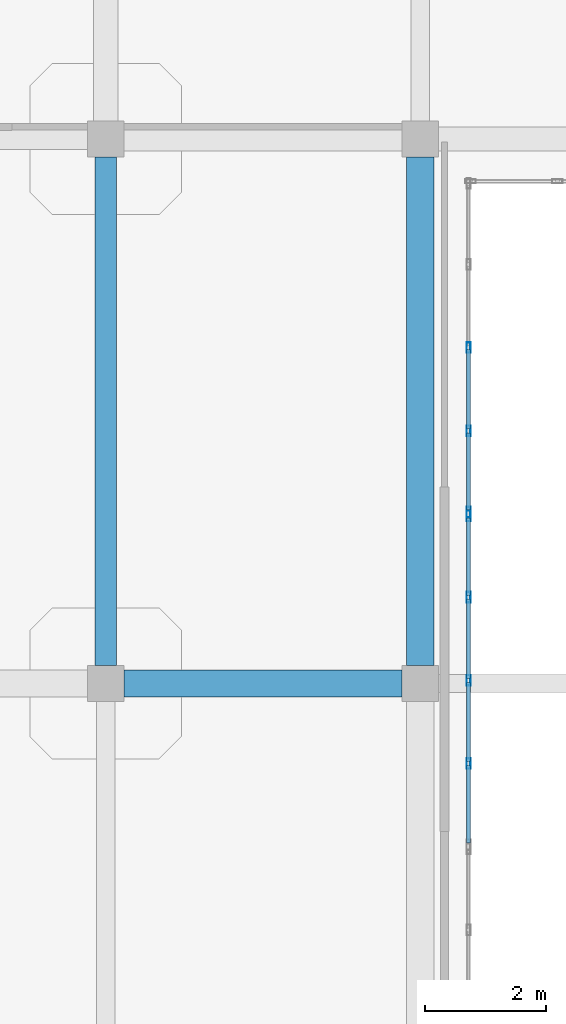
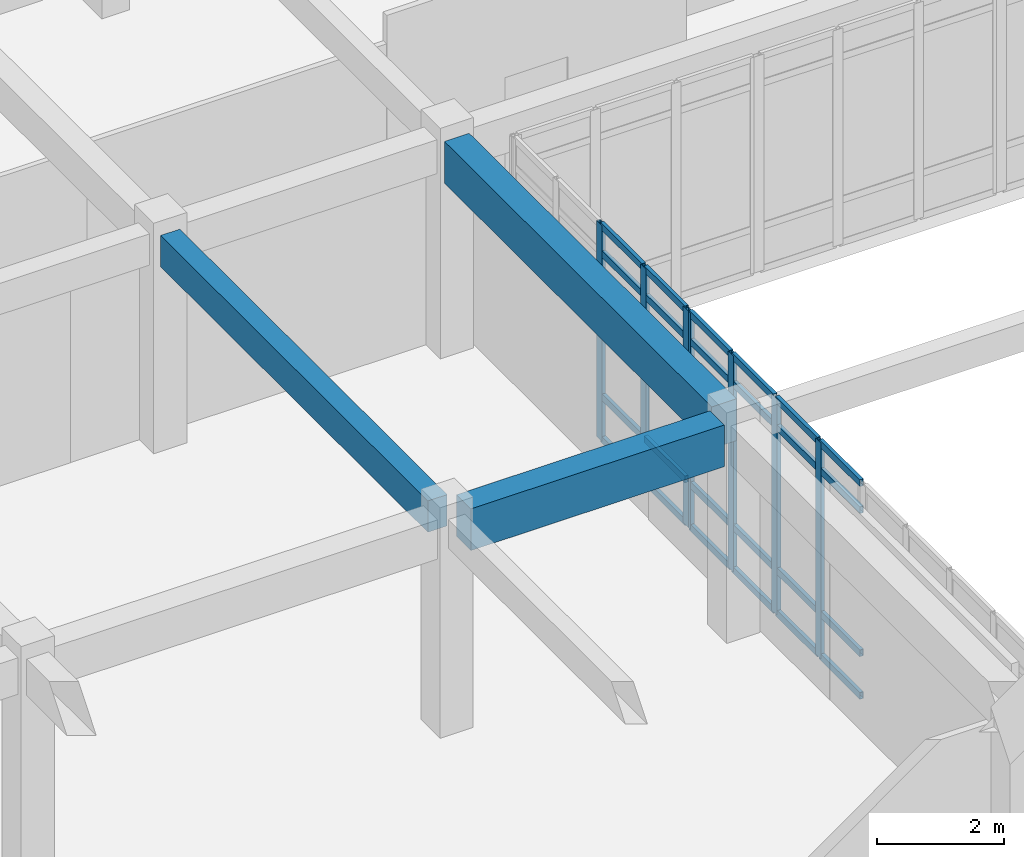
# One storey, part 84 of 142: 31 members, 3 beams, 2 elements without a shape of their own.
"""IFC4 building model written with IfcOpenShell, lengths in metres."""

from ifc_helpers import new_model, si_unit, direction, frame, origin, origin_2d, place, context, subcontext, project, spatial, rectangle, hollow_rectangle, extrude, material, layer, layer_set, material_profile, profile_set, type_object, element, aggregate, save


model = new_model("IFC4")

# Units and contexts
model_context = context("Model", 3, precision=1e-05, world=origin(), true_north=direction((0.0, 1.0)))
body_context = subcontext(model_context, "Body", "Model", "MODEL_VIEW")
ifc_project = project(units=[si_unit("LENGTHUNIT", "METRE"), si_unit("AREAUNIT", "SQUARE_METRE"), si_unit("VOLUMEUNIT", "CUBIC_METRE"), si_unit("PLANEANGLEUNIT", "RADIAN"), si_unit("MASSUNIT", "GRAM", prefix="KILO")], contexts=[model_context])

# Site, building, storey
site_placement = place(None, origin())
site = spatial("IfcSite", under=ifc_project, at=site_placement, CompositionType="ELEMENT")
building_placement = place(site_placement, origin())
building = spatial("IfcBuilding", under=site, at=building_placement, Name="Valcora Specialist Clinic", CompositionType="ELEMENT")
storey_placement = place(building_placement, frame((0.0, 0.0, 5.10009765625)))
storey = spatial("IfcBuildingStorey", under=building, at=storey_placement, Name="L01", CompositionType="ELEMENT", Elevation=5.10009765625)

# Beams
ifc_material_1 = material(Name="Concrete C40/50", Category="concrete")
ifc_material_profile_1 = material_profile(ifc_material_1, rectangle(XDim=0.35009765625, YDim=0.60009765625, at=origin_2d()), Name="RC-BM-350X600")
ifc_profile_set_1 = profile_set([ifc_material_profile_1], Name="Concrete C40/50")
beam_type_1 = type_object("IfcBeamType", Name="TY-BM-RC350X600", PredefinedType="BEAM", material=ifc_profile_set_1)
beam_1_placement = place(storey_placement, frame((106.0, 90.5, 3.844970703125), z_axis=(0.0, 1.0, 0.0), x_axis=(-1.0, 0.0, 0.0)))
element("IfcBeam", 1, at=beam_1_placement, inside=storey, type_object=beam_type_1, Name="Beam BM-L01-0678", PredefinedType="BEAM", context=body_context, shape_type="SweptSolid", body=[
    extrude(rectangle(XDim=0.35009765625, YDim=0.60009765625, at=origin_2d()), origin(), (0.0, 0.0, 1.0), 8.39990234375),
])
ifc_material_profile_2 = material_profile(ifc_material_1, rectangle(XDim=0.449951171875, YDim=0.800048828125, at=origin_2d()), Name="RC-BM-450X800")
ifc_profile_set_2 = profile_set([ifc_material_profile_2], Name="Concrete C40/50")
beam_type_2 = type_object("IfcBeamType", Name="TY-BM-RC450X800", PredefinedType="BEAM", material=ifc_profile_set_2)
beam_2_placement = place(storey_placement, frame((106.300048828125, 90.199951171875, 3.744873046875), z_axis=(1.0, 0.0, 0.0), x_axis=(0.0, 1.0, 0.0)))
element("IfcBeam", 2, at=beam_2_placement, inside=storey, type_object=beam_type_2, Name="Beam BM-L01-0636", PredefinedType="BEAM", context=body_context, shape_type="SweptSolid", body=[
    extrude(rectangle(XDim=0.449951171875, YDim=0.800048828125, at=origin_2d()), origin(), (0.0, 0.0, 1.0), 4.599853515625),
])
beam_3_placement = place(storey_placement, frame((111.199951171875, 90.5, 3.744873046875), z_axis=(0.0, 1.0, 0.0), x_axis=(-1.0, 0.0, 0.0)))
element("IfcBeam", 3, at=beam_3_placement, inside=storey, type_object=beam_type_2, Name="Beam BM-L01-0682", PredefinedType="BEAM", context=body_context, shape_type="SweptSolid", body=[
    extrude(rectangle(XDim=0.449951171875, YDim=0.800048828125, at=origin_2d()), origin(), (0.0, 0.0, 1.0), 8.39990234375),
])

# Curtain wall, members
ifc_material_2 = material(Name="Anodized Bronze Aluminium 6063-T6", Category="aluminium")
ifc_layer = layer(ifc_material_2, 0.175048828125)
ifc_layer_set = layer_set([ifc_layer], Name="Anodized Bronze Aluminium 6063-T6")
curtain_wall_type = type_object("IfcCurtainWallType", Name="TY-CW-CRT15", PredefinedType="NOTDEFINED", material=ifc_layer_set)
curtain_wall_1_placement = place(storey_placement, origin())
curtain_wall_1 = element("IfcCurtainWall", 4, at=curtain_wall_1_placement, inside=storey, type_object=curtain_wall_type, Name="Curtain wall CW-L01-082", PredefinedType="NOTDEFINED")
ifc_material_profile_3 = material_profile(ifc_material_2, hollow_rectangle(XDim=0.06494140625, YDim=0.175048828125, WallThickness=0.00390625, at=origin_2d()), Name="AL-MUL-65X175")
ifc_profile_set_3 = profile_set([ifc_material_profile_3], Name="Anodized Bronze Aluminium 6063-T6")
member_type_1 = type_object("IfcMemberType", Name="TY-CWM-65X175", PredefinedType="MULLION", material=ifc_profile_set_3)
member_1_placement = place(storey_placement, frame((112.0, 95.75, 0.0), z_axis=(0.0, 0.0, 1.0), x_axis=(1.0, 0.0, 0.0)))
member_1 = element("IfcMember", 5, at=member_1_placement, type_object=member_type_1, Name="CW-CRT-15 mullion 3", PredefinedType="MULLION", context=body_context, shape_type="SweptSolid", body=[
    extrude(hollow_rectangle(XDim=0.06494140625, YDim=0.175048828125, WallThickness=0.00390625, at=origin_2d()), origin(), (0.0, 0.0, 1.0), 4.14501953125),
])
member_2_placement = place(storey_placement, frame((112.0, 94.375, 0.0), z_axis=(0.0, 0.0, 1.0), x_axis=(1.0, 0.0, 0.0)))
member_2 = element("IfcMember", 6, at=member_2_placement, type_object=member_type_1, Name="CW-CRT-15 mullion 4", PredefinedType="MULLION", context=body_context, shape_type="SweptSolid", body=[
    extrude(hollow_rectangle(XDim=0.06494140625, YDim=0.175048828125, WallThickness=0.00390625, at=origin_2d()), origin(), (0.0, 0.0, 1.0), 4.14501953125),
])
member_3_placement = place(storey_placement, frame((112.0, 93.032470703125, 0.0), z_axis=(0.0, 0.0, 1.0), x_axis=(1.0, 0.0, 0.0)))
member_3 = element("IfcMember", 7, at=member_3_placement, type_object=member_type_1, Name="CW-CRT-15 mullion 5", PredefinedType="MULLION", context=body_context, shape_type="SweptSolid", body=[
    extrude(hollow_rectangle(XDim=0.06494140625, YDim=0.175048828125, WallThickness=0.00390625, at=origin_2d()), origin(), (0.0, 0.0, 1.0), 4.14501953125),
])

curtain_wall_2_placement = place(storey_placement, origin())
curtain_wall_2 = element("IfcCurtainWall", 8, at=curtain_wall_2_placement, inside=storey, type_object=curtain_wall_type, Name="Curtain wall CW-L01-083", PredefinedType="NOTDEFINED")
member_4_placement = place(storey_placement, frame((112.0, 92.967529296875, 0.0), z_axis=(0.0, 0.0, 1.0), x_axis=(1.0, 0.0, 0.0)))
member_4 = element("IfcMember", 9, at=member_4_placement, type_object=member_type_1, Name="CW-CRT-15 mullion 1", PredefinedType="MULLION", context=body_context, shape_type="SweptSolid", body=[
    extrude(hollow_rectangle(XDim=0.06494140625, YDim=0.175048828125, WallThickness=0.00390625, at=origin_2d()), origin(), (0.0, 0.0, 1.0), 4.14501953125),
])
member_5_placement = place(storey_placement, frame((112.0, 91.625, 0.0), z_axis=(0.0, 0.0, 1.0), x_axis=(1.0, 0.0, 0.0)))
member_5 = element("IfcMember", 10, at=member_5_placement, type_object=member_type_1, Name="CW-CRT-15 mullion 2", PredefinedType="MULLION", context=body_context, shape_type="SweptSolid", body=[
    extrude(hollow_rectangle(XDim=0.06494140625, YDim=0.175048828125, WallThickness=0.00390625, at=origin_2d()), origin(), (0.0, 0.0, 1.0), 4.14501953125),
])
member_6_placement = place(storey_placement, frame((112.0, 90.25, 0.0), z_axis=(0.0, 0.0, 1.0), x_axis=(1.0, 0.0, 0.0)))
member_6 = element("IfcMember", 11, at=member_6_placement, type_object=member_type_1, Name="CW-CRT-15 mullion 3", PredefinedType="MULLION", context=body_context, shape_type="SweptSolid", body=[
    extrude(hollow_rectangle(XDim=0.06494140625, YDim=0.175048828125, WallThickness=0.00390625, at=origin_2d()), origin(), (0.0, 0.0, 1.0), 4.14501953125),
])
member_7_placement = place(storey_placement, frame((112.0, 88.875, 0.0), z_axis=(0.0, 0.0, 1.0), x_axis=(1.0, 0.0, 0.0)))
member_7 = element("IfcMember", 12, at=member_7_placement, type_object=member_type_1, Name="CW-CRT-15 mullion 4", PredefinedType="MULLION", context=body_context, shape_type="SweptSolid", body=[
    extrude(hollow_rectangle(XDim=0.06494140625, YDim=0.175048828125, WallThickness=0.00390625, at=origin_2d()), origin(), (0.0, 0.0, 1.0), 4.14501953125),
])

# Member
ifc_material_profile_4 = material_profile(ifc_material_2, hollow_rectangle(XDim=0.06494140625, YDim=0.1298828125, WallThickness=0.00390625, at=origin_2d()), Name="AL-TRN-65X130")
ifc_profile_set_4 = profile_set([ifc_material_profile_4], Name="Anodized Bronze Aluminium 6063-T6")
member_type_2 = type_object("IfcMemberType", Name="TY-CWT-65X130", PredefinedType="USERDEFINED", material=ifc_profile_set_4)
member_8_placement = place(storey_placement, frame((112.0, 95.717529296875, 0.032470703125), z_axis=(0.0, -1.0, 0.0), x_axis=(1.0, 0.0, 0.0)))
member_8 = element("IfcMember", 13, at=member_8_placement, type_object=member_type_2, Name="CW-CRT-15 transom 3.1", ObjectType="TRANSOM", PredefinedType="USERDEFINED", context=body_context, shape_type="SweptSolid", body=[
    extrude(hollow_rectangle(XDim=0.06494140625, YDim=0.1298828125, WallThickness=0.00390625, at=origin_2d()), origin(), (0.0, 0.0, 1.0), 1.31005859375),
])

member_9_placement = place(storey_placement, frame((112.0, 95.717529296875, 0.849853515625), z_axis=(0.0, -1.0, 0.0), x_axis=(1.0, 0.0, 0.0)))
member_9 = element("IfcMember", 14, at=member_9_placement, type_object=member_type_2, Name="CW-CRT-15 transom 3.2", ObjectType="TRANSOM", PredefinedType="USERDEFINED", context=body_context, shape_type="SweptSolid", body=[
    extrude(hollow_rectangle(XDim=0.06494140625, YDim=0.1298828125, WallThickness=0.00390625, at=origin_2d()), origin(), (0.0, 0.0, 1.0), 1.31005859375),
])

member_10_placement = place(storey_placement, frame((112.0, 95.717529296875, 3.594970703125), z_axis=(0.0, -1.0, 0.0), x_axis=(1.0, 0.0, 0.0)))
member_10 = element("IfcMember", 15, at=member_10_placement, type_object=member_type_2, Name="CW-CRT-15 transom 3.3", ObjectType="TRANSOM", PredefinedType="USERDEFINED", context=body_context, shape_type="SweptSolid", body=[
    extrude(hollow_rectangle(XDim=0.06494140625, YDim=0.1298828125, WallThickness=0.00390625, at=origin_2d()), origin(), (0.0, 0.0, 1.0), 1.31005859375),
])

member_11_placement = place(storey_placement, frame((112.0, 95.717529296875, 4.1123046875), z_axis=(0.0, -1.0, 0.0), x_axis=(1.0, 0.0, 0.0)))
member_11 = element("IfcMember", 16, at=member_11_placement, type_object=member_type_2, Name="CW-CRT-15 transom 3.4", ObjectType="TRANSOM", PredefinedType="USERDEFINED", context=body_context, shape_type="SweptSolid", body=[
    extrude(hollow_rectangle(XDim=0.06494140625, YDim=0.1298828125, WallThickness=0.00390625, at=origin_2d()), origin(), (0.0, 0.0, 1.0), 1.31005859375),
])

member_12_placement = place(storey_placement, frame((112.0, 94.342529296875, 0.032470703125), z_axis=(0.0, -1.0, 0.0), x_axis=(1.0, 0.0, 0.0)))
member_12 = element("IfcMember", 17, at=member_12_placement, type_object=member_type_2, Name="CW-CRT-15 transom 4.1", ObjectType="TRANSOM", PredefinedType="USERDEFINED", context=body_context, shape_type="SweptSolid", body=[
    extrude(hollow_rectangle(XDim=0.06494140625, YDim=0.1298828125, WallThickness=0.00390625, at=origin_2d()), origin(), (0.0, 0.0, 1.0), 1.277587890625),
])

member_13_placement = place(storey_placement, frame((112.0, 94.342529296875, 0.849853515625), z_axis=(0.0, -1.0, 0.0), x_axis=(1.0, 0.0, 0.0)))
member_13 = element("IfcMember", 18, at=member_13_placement, type_object=member_type_2, Name="CW-CRT-15 transom 4.2", ObjectType="TRANSOM", PredefinedType="USERDEFINED", context=body_context, shape_type="SweptSolid", body=[
    extrude(hollow_rectangle(XDim=0.06494140625, YDim=0.1298828125, WallThickness=0.00390625, at=origin_2d()), origin(), (0.0, 0.0, 1.0), 1.277587890625),
])

member_14_placement = place(storey_placement, frame((112.0, 94.342529296875, 3.594970703125), z_axis=(0.0, -1.0, 0.0), x_axis=(1.0, 0.0, 0.0)))
member_14 = element("IfcMember", 19, at=member_14_placement, type_object=member_type_2, Name="CW-CRT-15 transom 4.3", ObjectType="TRANSOM", PredefinedType="USERDEFINED", context=body_context, shape_type="SweptSolid", body=[
    extrude(hollow_rectangle(XDim=0.06494140625, YDim=0.1298828125, WallThickness=0.00390625, at=origin_2d()), origin(), (0.0, 0.0, 1.0), 1.277587890625),
])

member_15_placement = place(storey_placement, frame((112.0, 94.342529296875, 4.1123046875), z_axis=(0.0, -1.0, 0.0), x_axis=(1.0, 0.0, 0.0)))
member_15 = element("IfcMember", 20, at=member_15_placement, type_object=member_type_2, Name="CW-CRT-15 transom 4.4", ObjectType="TRANSOM", PredefinedType="USERDEFINED", context=body_context, shape_type="SweptSolid", body=[
    extrude(hollow_rectangle(XDim=0.06494140625, YDim=0.1298828125, WallThickness=0.00390625, at=origin_2d()), origin(), (0.0, 0.0, 1.0), 1.277587890625),
])

aggregate(curtain_wall_1, [member_1, member_2, member_3, member_8, member_9, member_10, member_11, member_12, member_13, member_14, member_15])

member_16_placement = place(storey_placement, frame((112.0, 92.93505859375, 0.032470703125), z_axis=(0.0, -1.0, 0.0), x_axis=(1.0, 0.0, 0.0)))
member_16 = element("IfcMember", 21, at=member_16_placement, type_object=member_type_2, Name="CW-CRT-15 transom 1.1", ObjectType="TRANSOM", PredefinedType="USERDEFINED", context=body_context, shape_type="SweptSolid", body=[
    extrude(hollow_rectangle(XDim=0.06494140625, YDim=0.1298828125, WallThickness=0.00390625, at=origin_2d()), origin(), (0.0, 0.0, 1.0), 1.277587890625),
])

member_17_placement = place(storey_placement, frame((112.0, 92.93505859375, 0.849853515625), z_axis=(0.0, -1.0, 0.0), x_axis=(1.0, 0.0, 0.0)))
member_17 = element("IfcMember", 22, at=member_17_placement, type_object=member_type_2, Name="CW-CRT-15 transom 1.2", ObjectType="TRANSOM", PredefinedType="USERDEFINED", context=body_context, shape_type="SweptSolid", body=[
    extrude(hollow_rectangle(XDim=0.06494140625, YDim=0.1298828125, WallThickness=0.00390625, at=origin_2d()), origin(), (0.0, 0.0, 1.0), 1.277587890625),
])

member_18_placement = place(storey_placement, frame((112.0, 92.93505859375, 3.594970703125), z_axis=(0.0, -1.0, 0.0), x_axis=(1.0, 0.0, 0.0)))
member_18 = element("IfcMember", 23, at=member_18_placement, type_object=member_type_2, Name="CW-CRT-15 transom 1.3", ObjectType="TRANSOM", PredefinedType="USERDEFINED", context=body_context, shape_type="SweptSolid", body=[
    extrude(hollow_rectangle(XDim=0.06494140625, YDim=0.1298828125, WallThickness=0.00390625, at=origin_2d()), origin(), (0.0, 0.0, 1.0), 1.277587890625),
])

member_19_placement = place(storey_placement, frame((112.0, 92.93505859375, 4.1123046875), z_axis=(0.0, -1.0, 0.0), x_axis=(1.0, 0.0, 0.0)))
member_19 = element("IfcMember", 24, at=member_19_placement, type_object=member_type_2, Name="CW-CRT-15 transom 1.4", ObjectType="TRANSOM", PredefinedType="USERDEFINED", context=body_context, shape_type="SweptSolid", body=[
    extrude(hollow_rectangle(XDim=0.06494140625, YDim=0.1298828125, WallThickness=0.00390625, at=origin_2d()), origin(), (0.0, 0.0, 1.0), 1.277587890625),
])

member_20_placement = place(storey_placement, frame((112.0, 91.592529296875, 0.032470703125), z_axis=(0.0, -1.0, 0.0), x_axis=(1.0, 0.0, 0.0)))
member_20 = element("IfcMember", 25, at=member_20_placement, type_object=member_type_2, Name="CW-CRT-15 transom 2.1", ObjectType="TRANSOM", PredefinedType="USERDEFINED", context=body_context, shape_type="SweptSolid", body=[
    extrude(hollow_rectangle(XDim=0.06494140625, YDim=0.1298828125, WallThickness=0.00390625, at=origin_2d()), origin(), (0.0, 0.0, 1.0), 1.31005859375),
])

member_21_placement = place(storey_placement, frame((112.0, 91.592529296875, 0.849853515625), z_axis=(0.0, -1.0, 0.0), x_axis=(1.0, 0.0, 0.0)))
member_21 = element("IfcMember", 26, at=member_21_placement, type_object=member_type_2, Name="CW-CRT-15 transom 2.2", ObjectType="TRANSOM", PredefinedType="USERDEFINED", context=body_context, shape_type="SweptSolid", body=[
    extrude(hollow_rectangle(XDim=0.06494140625, YDim=0.1298828125, WallThickness=0.00390625, at=origin_2d()), origin(), (0.0, 0.0, 1.0), 1.31005859375),
])

member_22_placement = place(storey_placement, frame((112.0, 91.592529296875, 3.594970703125), z_axis=(0.0, -1.0, 0.0), x_axis=(1.0, 0.0, 0.0)))
member_22 = element("IfcMember", 27, at=member_22_placement, type_object=member_type_2, Name="CW-CRT-15 transom 2.3", ObjectType="TRANSOM", PredefinedType="USERDEFINED", context=body_context, shape_type="SweptSolid", body=[
    extrude(hollow_rectangle(XDim=0.06494140625, YDim=0.1298828125, WallThickness=0.00390625, at=origin_2d()), origin(), (0.0, 0.0, 1.0), 1.31005859375),
])

member_23_placement = place(storey_placement, frame((112.0, 91.592529296875, 4.1123046875), z_axis=(0.0, -1.0, 0.0), x_axis=(1.0, 0.0, 0.0)))
member_23 = element("IfcMember", 28, at=member_23_placement, type_object=member_type_2, Name="CW-CRT-15 transom 2.4", ObjectType="TRANSOM", PredefinedType="USERDEFINED", context=body_context, shape_type="SweptSolid", body=[
    extrude(hollow_rectangle(XDim=0.06494140625, YDim=0.1298828125, WallThickness=0.00390625, at=origin_2d()), origin(), (0.0, 0.0, 1.0), 1.31005859375),
])

member_24_placement = place(storey_placement, frame((112.0, 90.217529296875, 0.032470703125), z_axis=(0.0, -1.0, 0.0), x_axis=(1.0, 0.0, 0.0)))
member_24 = element("IfcMember", 29, at=member_24_placement, type_object=member_type_2, Name="CW-CRT-15 transom 3.1", ObjectType="TRANSOM", PredefinedType="USERDEFINED", context=body_context, shape_type="SweptSolid", body=[
    extrude(hollow_rectangle(XDim=0.06494140625, YDim=0.1298828125, WallThickness=0.00390625, at=origin_2d()), origin(), (0.0, 0.0, 1.0), 1.31005859375),
])

member_25_placement = place(storey_placement, frame((112.0, 90.217529296875, 0.849853515625), z_axis=(0.0, -1.0, 0.0), x_axis=(1.0, 0.0, 0.0)))
member_25 = element("IfcMember", 30, at=member_25_placement, type_object=member_type_2, Name="CW-CRT-15 transom 3.2", ObjectType="TRANSOM", PredefinedType="USERDEFINED", context=body_context, shape_type="SweptSolid", body=[
    extrude(hollow_rectangle(XDim=0.06494140625, YDim=0.1298828125, WallThickness=0.00390625, at=origin_2d()), origin(), (0.0, 0.0, 1.0), 1.31005859375),
])

member_26_placement = place(storey_placement, frame((112.0, 90.217529296875, 3.594970703125), z_axis=(0.0, -1.0, 0.0), x_axis=(1.0, 0.0, 0.0)))
member_26 = element("IfcMember", 31, at=member_26_placement, type_object=member_type_2, Name="CW-CRT-15 transom 3.3", ObjectType="TRANSOM", PredefinedType="USERDEFINED", context=body_context, shape_type="SweptSolid", body=[
    extrude(hollow_rectangle(XDim=0.06494140625, YDim=0.1298828125, WallThickness=0.00390625, at=origin_2d()), origin(), (0.0, 0.0, 1.0), 1.31005859375),
])

member_27_placement = place(storey_placement, frame((112.0, 90.217529296875, 4.1123046875), z_axis=(0.0, -1.0, 0.0), x_axis=(1.0, 0.0, 0.0)))
member_27 = element("IfcMember", 32, at=member_27_placement, type_object=member_type_2, Name="CW-CRT-15 transom 3.4", ObjectType="TRANSOM", PredefinedType="USERDEFINED", context=body_context, shape_type="SweptSolid", body=[
    extrude(hollow_rectangle(XDim=0.06494140625, YDim=0.1298828125, WallThickness=0.00390625, at=origin_2d()), origin(), (0.0, 0.0, 1.0), 1.31005859375),
])

member_28_placement = place(storey_placement, frame((112.0, 88.842529296875, 0.032470703125), z_axis=(0.0, -1.0, 0.0), x_axis=(1.0, 0.0, 0.0)))
member_28 = element("IfcMember", 33, at=member_28_placement, type_object=member_type_2, Name="CW-CRT-15 transom 4.1", ObjectType="TRANSOM", PredefinedType="USERDEFINED", context=body_context, shape_type="SweptSolid", body=[
    extrude(hollow_rectangle(XDim=0.06494140625, YDim=0.1298828125, WallThickness=0.00390625, at=origin_2d()), origin(), (0.0, 0.0, 1.0), 1.277587890625),
])

member_29_placement = place(storey_placement, frame((112.0, 88.842529296875, 0.849853515625), z_axis=(0.0, -1.0, 0.0), x_axis=(1.0, 0.0, 0.0)))
member_29 = element("IfcMember", 34, at=member_29_placement, type_object=member_type_2, Name="CW-CRT-15 transom 4.2", ObjectType="TRANSOM", PredefinedType="USERDEFINED", context=body_context, shape_type="SweptSolid", body=[
    extrude(hollow_rectangle(XDim=0.06494140625, YDim=0.1298828125, WallThickness=0.00390625, at=origin_2d()), origin(), (0.0, 0.0, 1.0), 1.277587890625),
])

member_30_placement = place(storey_placement, frame((112.0, 88.842529296875, 3.594970703125), z_axis=(0.0, -1.0, 0.0), x_axis=(1.0, 0.0, 0.0)))
member_30 = element("IfcMember", 35, at=member_30_placement, type_object=member_type_2, Name="CW-CRT-15 transom 4.3", ObjectType="TRANSOM", PredefinedType="USERDEFINED", context=body_context, shape_type="SweptSolid", body=[
    extrude(hollow_rectangle(XDim=0.06494140625, YDim=0.1298828125, WallThickness=0.00390625, at=origin_2d()), origin(), (0.0, 0.0, 1.0), 1.277587890625),
])

member_31_placement = place(storey_placement, frame((112.0, 88.842529296875, 4.1123046875), z_axis=(0.0, -1.0, 0.0), x_axis=(1.0, 0.0, 0.0)))
member_31 = element("IfcMember", 36, at=member_31_placement, type_object=member_type_2, Name="CW-CRT-15 transom 4.4", ObjectType="TRANSOM", PredefinedType="USERDEFINED", context=body_context, shape_type="SweptSolid", body=[
    extrude(hollow_rectangle(XDim=0.06494140625, YDim=0.1298828125, WallThickness=0.00390625, at=origin_2d()), origin(), (0.0, 0.0, 1.0), 1.277587890625),
])

aggregate(curtain_wall_2, [member_4, member_5, member_6, member_7, member_16, member_17, member_18, member_19, member_20, member_21, member_22, member_23, member_24, member_25, member_26, member_27, member_28, member_29, member_30, member_31])

save(model, "model.ifc")
